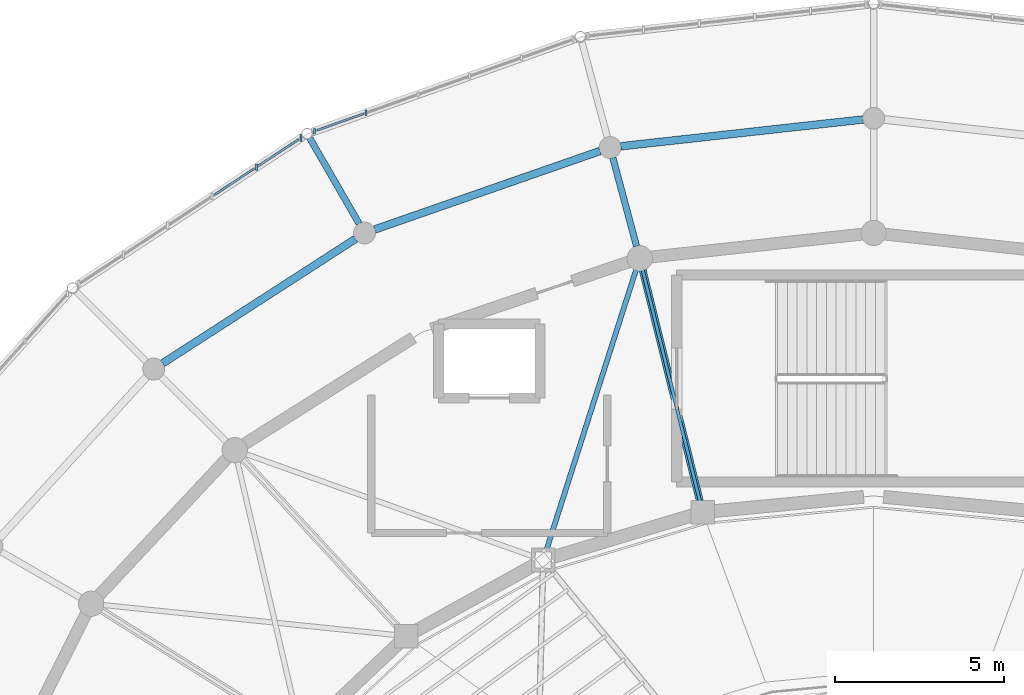
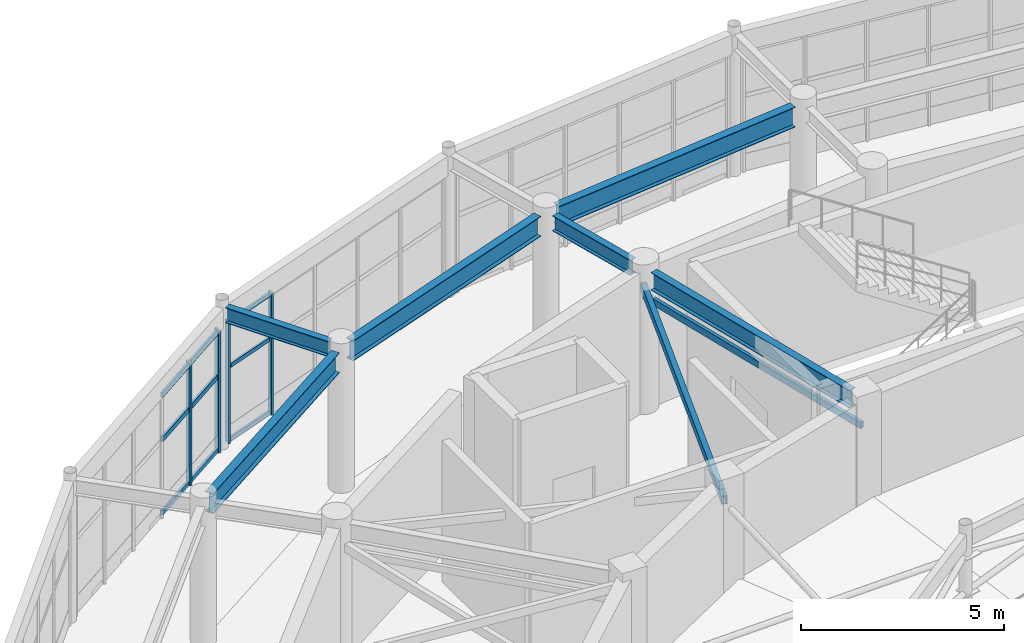
# One storey, part 46 of 112: 15 members, 6 beams, 2 elements without a shape of their own.
"""IFC4 building model written with IfcOpenShell, lengths in metres."""

import ifcopenshell
import ifcopenshell.guid

model = None  # the IFC model being written
_history = None  # IfcOwnerHistory: only IFC2X3 demands one
_inside = {}  # id of a spatial element -> (the spatial element, [elements in it])
_under = {}  # id of a project, library or spatial element -> (it, [spatial elements below it])
_declared = {}  # id of a project -> (the project, [libraries it declares])
_typed = {}  # id of a type object -> (the type object, [elements of that type])
_made_of = {}  # id of a material, layer set ... -> (it, [elements and type objects made of it])


def new_model(schema):
    """Start an empty IFC model of exactly this schema.

    Asked for "IFC4X3", IfcOpenShell would pick the latest addendum, in which some entities
    have other attributes; the version numbers below select the first issue.
    IFC2X3 requires an IfcOwnerHistory on every rooted entity: one is made here for all.
    """
    global model, _history
    if schema == "IFC4X3":
        model = ifcopenshell.file(schema_version=(4, 3, 0, 0))
    else:
        model = ifcopenshell.file(schema=schema)
    _inside.clear()
    _under.clear()
    _declared.clear()
    _typed.clear()
    _made_of.clear()
    _history = None
    if model.schema == "IFC2X3":
        org = make("IfcOrganization", Name="unknown")
        user = make(
            "IfcPersonAndOrganization",
            ThePerson=make("IfcPerson", FamilyName="unknown"),
            TheOrganization=org,
        )
        app = make(
            "IfcApplication",
            ApplicationDeveloper=org,
            Version="unknown",
            ApplicationFullName="unknown",
            ApplicationIdentifier="unknown",
        )
        _history = make(
            "IfcOwnerHistory",
            OwningUser=user,
            OwningApplication=app,
            ChangeAction="ADDED",
            CreationDate=0,
        )
    return model


def make(cls, **values):
    """One entity of the class cls with the attributes given. An attribute that is None is left unset."""
    return model.create_entity(
        cls, **{name: value for name, value in values.items() if value is not None}
    )


def rooted(cls, **values):
    """An entity with a GlobalId (a new one), such as an element, a storey or a relation."""
    return make(cls, GlobalId=ifcopenshell.guid.new(), OwnerHistory=_history, **values)


def si_unit(unit_type, name, prefix=None):
    """IfcSIUnit, for example si_unit("LENGTHUNIT", "METRE", prefix="MILLI")."""
    return make("IfcSIUnit", UnitType=unit_type, Prefix=prefix, Name=name)


def assignment(units):
    """IfcUnitAssignment: the units of a project."""
    return None if units is None else make("IfcUnitAssignment", Units=units)


def point(xyz):
    """IfcCartesianPoint."""
    return None if xyz is None else make("IfcCartesianPoint", Coordinates=xyz)


def direction(xyz):
    """IfcDirection."""
    return None if xyz is None else make("IfcDirection", DirectionRatios=xyz)


def frame(location, z_axis=None, x_axis=None):
    """IfcAxis2Placement3D, a coordinate frame: its origin and axes. An axis left out is left unset."""
    return make(
        "IfcAxis2Placement3D",
        Location=point(location),
        Axis=direction(z_axis),
        RefDirection=direction(x_axis),
    )


def frame_2d(location, x_axis=None):
    """IfcAxis2Placement2D, a coordinate frame in the plane: its origin and x axis."""
    return make(
        "IfcAxis2Placement2D", Location=point(location), RefDirection=direction(x_axis)
    )


def origin():
    """The frame at (0, 0, 0) with its axes left unset."""
    return frame((0.0, 0.0, 0.0))


def origin_2d():
    """The frame at (0, 0) in the plane with its x axis left unset."""
    return frame_2d((0.0, 0.0))


def place(relative_to, where):
    """IfcLocalPlacement: puts the frame where relative to a parent placement (None: the world)."""
    return make(
        "IfcLocalPlacement", PlacementRelTo=relative_to, RelativePlacement=where
    )


def context(
    kind, dimensions, precision=None, world=None, true_north=None, identifier=None
):
    """IfcGeometricRepresentationContext, for example the 3D "Model" context."""
    return make(
        "IfcGeometricRepresentationContext",
        ContextIdentifier=identifier,
        ContextType=kind,
        CoordinateSpaceDimension=dimensions,
        Precision=precision,
        WorldCoordinateSystem=world,
        TrueNorth=true_north,
    )


def subcontext(parent, identifier, kind, view, scale=None):
    """IfcGeometricRepresentationSubContext, for example "Body" below "Model"."""
    return make(
        "IfcGeometricRepresentationSubContext",
        ContextIdentifier=identifier,
        ContextType=kind,
        ParentContext=parent,
        TargetScale=scale,
        TargetView=view,
    )


def project(units=None, contexts=None):
    """IfcProject with its units and contexts."""
    return rooted(
        "IfcProject",
        Name="project",
        RepresentationContexts=contexts,
        UnitsInContext=assignment(units),
    )


def spatial(cls, under=None, at=None, **own):
    """A site, building, storey or space (cls), placed at a placement, below another one or the project."""
    s = rooted(cls, ObjectPlacement=at, **own)
    if under is not None:
        _under.setdefault(under.id(), (under, []))[1].append(s)
    return s


def profile(cls, at=None, kind="AREA", **sizes):
    """A parametric profile (cls). Its sizes go by their IFC names, for example OverallWidth=200.0."""
    return make(cls, ProfileType=kind, Position=at, **sizes)


def rectangle(**sizes):
    """IfcRectangleProfileDef."""
    return profile("IfcRectangleProfileDef", **sizes)


def hollow_rectangle(**sizes):
    """IfcRectangleHollowProfileDef."""
    return profile("IfcRectangleHollowProfileDef", **sizes)


def i_section(**sizes):
    """IfcIShapeProfileDef."""
    return profile("IfcIShapeProfileDef", **sizes)


def extrude(swept, where, along, depth):
    """IfcExtrudedAreaSolid: the profile swept, set in the frame where, extruded along a direction by depth."""
    return make(
        "IfcExtrudedAreaSolid",
        SweptArea=swept,
        Position=where,
        ExtrudedDirection=direction(along),
        Depth=depth,
    )


def shape(context_of_items, identifier, shape_type, items):
    """IfcShapeRepresentation: the items that make up one representation, for example the "Body"."""
    return make(
        "IfcShapeRepresentation",
        ContextOfItems=context_of_items,
        RepresentationIdentifier=identifier,
        RepresentationType=shape_type,
        Items=items,
    )


def material(Name=None, Category=None):
    """IfcMaterial."""
    return make("IfcMaterial", Name=Name, Category=Category)


def material_profile(
    of_material, cross_section, Name=None, Category=None, Priority=None
):
    """IfcMaterialProfile: a cross section and its material."""
    return make(
        "IfcMaterialProfile",
        Name=Name,
        Material=of_material,
        Profile=cross_section,
        Priority=Priority,
        Category=Category,
    )


def profile_set(profiles, Name=None, composite=None):
    """IfcMaterialProfileSet."""
    return make(
        "IfcMaterialProfileSet",
        Name=Name,
        MaterialProfiles=profiles,
        CompositeProfile=composite,
    )


def made_of(thing, what):
    """Note that an element or type object is made of a material, layer set ...; save() writes the relation."""
    if what is not None:
        _made_of.setdefault(what.id(), (what, []))[1].append(thing)
    return thing


def type_object(cls, material=None, **own):
    """A type object (cls), such as IfcWallType, which elements share."""
    return made_of(rooted(cls, **own), material)


def element(
    cls,
    number,
    at=None,
    inside=None,
    cuts=None,
    type_object=None,
    material=None,
    context=None,
    identifier="Body",
    shape_type=None,
    held_by="IfcProductDefinitionShape",
    body=None,
    shapes=None,
    **own,
):
    """One element of the class cls, such as IfcWall. Its Tag is "e" and its number.

    at: its placement. inside: the storey or other place that contains it. cuts: it is an
    opening in that element (IfcRelVoidsElement). A single representation is given by context,
    identifier, shape_type and body (its items); several are given by shapes. held_by: the class
    of the entity that holds the representations. save() writes the other relations.
    """
    e = rooted(cls, Tag="e%d" % number, ObjectPlacement=at, **own)
    if body is not None:
        shapes = [shape(context, identifier, shape_type, body)]
    if shapes is not None:
        e.Representation = make(held_by, Representations=shapes)
    if inside is not None:
        _inside.setdefault(inside.id(), (inside, []))[1].append(e)
    if cuts is not None:
        rooted(
            "IfcRelVoidsElement", RelatingBuildingElement=cuts, RelatedOpeningElement=e
        )
    if type_object is not None:
        _typed.setdefault(type_object.id(), (type_object, []))[1].append(e)
    return made_of(e, material)


def aggregate(whole, parts):
    """IfcRelAggregates: a whole, such as a stair, and the parts it consists of."""
    return rooted("IfcRelAggregates", RelatingObject=whole, RelatedObjects=parts)


def save(model, path):
    """Write the relations noted so far, then the file.

    IfcRelAggregates (storeys below a building ...), IfcRelContainedInSpatialStructure (elements
    in a storey), IfcRelDefinesByType, IfcRelAssociatesMaterial and IfcRelDeclares: one each for
    every whole, place, type object, material and project.
    """
    for whole, parts in _under.values():
        aggregate(whole, parts)
    for where, things in _inside.values():
        rooted(
            "IfcRelContainedInSpatialStructure",
            RelatedElements=things,
            RelatingStructure=where,
        )
    for kind, things in _typed.values():
        rooted("IfcRelDefinesByType", RelatedObjects=things, RelatingType=kind)
    for what, things in _made_of.values():
        rooted("IfcRelAssociatesMaterial", RelatedObjects=things, RelatingMaterial=what)
    for by, libraries in _declared.values():
        rooted("IfcRelDeclares", RelatingContext=by, RelatedDefinitions=libraries)
    model.write(path)


model = new_model("IFC4")

# Units and contexts
model_context = context("Model", 3, precision=1e-05, world=origin(), true_north=direction((0.0, 1.0)))
body_context = subcontext(model_context, "Body", "Model", "MODEL_VIEW")
ifc_project = project(units=[si_unit("LENGTHUNIT", "METRE"), si_unit("AREAUNIT", "SQUARE_METRE"), si_unit("VOLUMEUNIT", "CUBIC_METRE"), si_unit("PLANEANGLEUNIT", "RADIAN"), si_unit("MASSUNIT", "GRAM", prefix="KILO")], contexts=[model_context])

# Site, building, storey
site_placement = place(None, origin())
site = spatial("IfcSite", under=ifc_project, at=site_placement, CompositionType="ELEMENT")
building_placement = place(site_placement, origin())
building = spatial("IfcBuilding", under=site, at=building_placement, Name="Cinderbank Siding Concert Hall", CompositionType="ELEMENT")
storey_placement = place(building_placement, frame((0.0, 0.0, 10.199951171875)))
storey = spatial("IfcBuildingStorey", under=building, at=storey_placement, Name="L03", CompositionType="ELEMENT", Elevation=10.199951171875)

# Beams
ifc_material_1 = material(Name="Structural steel AS/NZS 3679.1 Grade 350 (340 MPa)", Category="steel")
ifc_material_profile_1 = material_profile(ifc_material_1, i_section(OverallWidth=0.19091796875, OverallDepth=0.46044921875, WebThickness=0.010009765625, FlangeThickness=0.01611328125, at=origin_2d()), Name="460UB82.1", Category="LoadBearing")
ifc_profile_set_1 = profile_set([ifc_material_profile_1], Name="Structural steel AS/NZS 3679.1 Grade 350 (340 MPa)")
beam_type_1 = type_object("IfcBeamType", Name="BM-UB460H 460UB82.1", PredefinedType="BEAM", material=ifc_profile_set_1)
beam_1_placement = place(storey_placement, frame((114.968505859375, 65.60498046875, 4.011962890625), z_axis=(-0.258809477387, 0.9659283899, 0.0), x_axis=(-0.9659283899, -0.258809477387, 0.0)))
element("IfcBeam", 1, at=beam_1_placement, inside=storey, type_object=beam_type_1, Name="L03 Beam BM-UB460H #612", PredefinedType="BEAM", context=body_context, shape_type="SweptSolid", body=[
    extrude(i_section(OverallWidth=0.19091796875, OverallDepth=0.46044921875, WebThickness=0.010009765625, FlangeThickness=0.01611328125, at=origin_2d()), origin(), (0.0, 0.0, 1.0), 2.7158203125),
])
beam_2_placement = place(storey_placement, frame((106.741455078125, 66.271484375, 4.0517578125), z_axis=(-0.499958157915, 0.866049559976, 0.0), x_axis=(-0.866049559976, -0.499958157915, 0.0)))
element("IfcBeam", 2, at=beam_2_placement, inside=storey, type_object=beam_type_1, Name="L03 Beam BM-UB460H #636", PredefinedType="BEAM", context=body_context, shape_type="SweptSolid", body=[
    extrude(i_section(OverallWidth=0.19091796875, OverallDepth=0.46044921875, WebThickness=0.010009765625, FlangeThickness=0.01611328125, at=origin_2d()), origin(), (0.0, 0.0, 1.0), 2.928955078125),
])
ifc_material_profile_2 = material_profile(ifc_material_1, i_section(OverallWidth=0.208984375, OverallDepth=0.532958984375, WebThickness=0.01025390625, FlangeThickness=0.015625, at=origin_2d()), Name="530UB92.4", Category="LoadBearing")
ifc_profile_set_2 = profile_set([ifc_material_profile_2], Name="Structural steel AS/NZS 3679.1 Grade 350 (340 MPa)")
beam_type_2 = type_object("IfcBeamType", Name="BM-UB530H 530UB92.4", PredefinedType="BEAM", material=ifc_profile_set_2)
beam_3_placement = place(storey_placement, frame((116.844970703125, 58.048095703125, 3.985595703125), z_axis=(-0.240115631411, 0.970744293598, 0.0), x_axis=(-0.970744293598, -0.240115631411, 0.0)))
element("IfcBeam", 3, at=beam_3_placement, inside=storey, type_object=beam_type_2, Name="L03 Beam BM-UB530H #594", PredefinedType="BEAM", context=body_context, shape_type="SweptSolid", body=[
    extrude(i_section(OverallWidth=0.208984375, OverallDepth=0.532958984375, WebThickness=0.01025390625, FlangeThickness=0.015625, at=origin_2d()), origin(), (0.0, 0.0, 1.0), 7.05224609375),
])
ifc_material_profile_3 = material_profile(ifc_material_1, i_section(OverallWidth=0.22802734375, OverallDepth=0.60693359375, WebThickness=0.01123046875, FlangeThickness=0.017333984375, at=origin_2d()), Name="610UB113", Category="LoadBearing")
ifc_profile_set_3 = profile_set([ifc_material_profile_3], Name="Structural steel AS/NZS 3679.1 Grade 350 (340 MPa)")
beam_type_3 = type_object("IfcBeamType", Name="BM-UB610M 610UB113", PredefinedType="BEAM", material=ifc_profile_set_3)
beam_4_placement = place(storey_placement, frame((121.684814453125, 69.364990234375, 3.9384765625), z_axis=(-0.993926077211, -0.110049775281, 0.0), x_axis=(0.110049775281, -0.993926077211, 0.0)))
element("IfcBeam", 4, at=beam_4_placement, inside=storey, type_object=beam_type_3, Name="L03 Beam BM-UB610M #551", PredefinedType="BEAM", context=body_context, shape_type="SweptSolid", body=[
    extrude(i_section(OverallWidth=0.22802734375, OverallDepth=0.60693359375, WebThickness=0.01123046875, FlangeThickness=0.017333984375, at=origin_2d()), origin(), (0.0, 0.0, 1.0), 7.22998046875),
])
beam_5_placement = place(storey_placement, frame((113.88427734375, 68.43017578125, 3.9384765625), z_axis=(-0.944334299593, -0.328987432301, 0.0), x_axis=(0.328987432301, -0.944334299593, 0.0)))
element("IfcBeam", 5, at=beam_5_placement, inside=storey, type_object=beam_type_3, Name="L03 Beam BM-UB610M #552", PredefinedType="BEAM", context=body_context, shape_type="SweptSolid", body=[
    extrude(i_section(OverallWidth=0.22802734375, OverallDepth=0.60693359375, WebThickness=0.01123046875, FlangeThickness=0.017333984375, at=origin_2d()), origin(), (0.0, 0.0, 1.0), 7.078857421875),
])
beam_6_placement = place(storey_placement, frame((106.6337890625, 65.8251953125, 3.9384765625), z_axis=(-0.840219727246, -0.542246078775, 0.0), x_axis=(0.542246078775, -0.840219727246, 0.0)))
element("IfcBeam", 6, at=beam_6_placement, inside=storey, type_object=beam_type_3, Name="L03 Beam BM-UB610M #553", PredefinedType="BEAM", context=body_context, shape_type="SweptSolid", body=[
    extrude(i_section(OverallWidth=0.22802734375, OverallDepth=0.60693359375, WebThickness=0.01123046875, FlangeThickness=0.017333984375, at=origin_2d()), origin(), (0.0, 0.0, 1.0), 6.810302734375),
])

# Curtain wall, members
ifc_material_2 = material(Name="Anodised aluminium alloy 6063-T6", Category="aluminium")
curtain_wall_type_1 = type_object("IfcCurtainWallType", Name="CW-08 Unitised Acoustic Curtain Wall 6400x3800", PredefinedType="NOTDEFINED", material=ifc_material_2)
curtain_wall_1_placement = place(storey_placement, origin())
curtain_wall_1 = element("IfcCurtainWall", 7, at=curtain_wall_1_placement, inside=storey, type_object=curtain_wall_type_1, Name="L03 Curtain Wall CW-08 #32", PredefinedType="NOTDEFINED")
ifc_material_profile_4 = material_profile(ifc_material_2, rectangle(XDim=0.06005859375, YDim=0.159912109375, at=origin_2d()), Name="ALU-MULL-60x160", Category="LoadBearing")
ifc_profile_set_4 = profile_set([ifc_material_profile_4], Name="Anodised aluminium alloy 6063-T6")
member_type_1 = type_object("IfcMemberType", Name="CW-ML1 Mullion 60x160", PredefinedType="MULLION", material=ifc_profile_set_4)
member_1_placement = place(storey_placement, frame((106.94921875, 69.5625, 0.0), z_axis=(0.0, 0.0, 1.0), x_axis=(1.0, 0.0, 0.0)))
member_1 = element("IfcMember", 8, at=member_1_placement, type_object=member_type_1, Name="CW-L03-032 Mullion 4", PredefinedType="MULLION", context=body_context, shape_type="SweptSolid", body=[
    extrude(rectangle(XDim=0.06005859375, YDim=0.159912109375, at=origin_2d()), origin(), (0.0, 0.0, 1.0), 3.6669921875),
])
member_2_placement = place(storey_placement, frame((105.413818359375, 69.017333984375, 0.0), z_axis=(0.0, 0.0, 1.0), x_axis=(1.0, 0.0, 0.0)))
member_2 = element("IfcMember", 9, at=member_2_placement, type_object=member_type_1, Name="CW-L03-032 Mullion 5", PredefinedType="MULLION", context=body_context, shape_type="SweptSolid", body=[
    extrude(rectangle(XDim=0.06005859375, YDim=0.159912109375, at=origin_2d()), origin(), (0.0, 0.0, 1.0), 3.6669921875),
])

curtain_wall_type_2 = type_object("IfcCurtainWallType", Name="CW-09 Unitised Acoustic Curtain Wall 8000x3500", PredefinedType="NOTDEFINED", material=ifc_material_2)
curtain_wall_2_placement = place(storey_placement, origin())
curtain_wall_2 = element("IfcCurtainWall", 10, at=curtain_wall_2_placement, inside=storey, type_object=curtain_wall_type_2, Name="L03 Curtain Wall CW-09 #33", PredefinedType="NOTDEFINED")
ifc_material_profile_5 = material_profile(ifc_material_2, rectangle(XDim=0.06494140625, YDim=0.199951171875, at=origin_2d()), Name="ALU-MULL-65x200", Category="LoadBearing")
ifc_profile_set_5 = profile_set([ifc_material_profile_5], Name="Anodised aluminium alloy 6063-T6")
member_type_2 = type_object("IfcMemberType", Name="CW-ML2 Mullion 65x200", PredefinedType="MULLION", material=ifc_profile_set_5)
member_3_placement = place(storey_placement, frame((105.010498046875, 68.81689453125, 0.0), z_axis=(0.0, 0.0, 1.0), x_axis=(1.0, 0.0, 0.0)))
member_3 = element("IfcMember", 11, at=member_3_placement, type_object=member_type_2, Name="CW-L03-033 Mullion 0", PredefinedType="MULLION", context=body_context, shape_type="SweptSolid", body=[
    extrude(rectangle(XDim=0.06494140625, YDim=0.199951171875, at=origin_2d()), origin(), (0.0, 0.0, 1.0), 3.6669921875),
])
member_4_placement = place(storey_placement, frame((103.694580078125, 67.951416015625, 0.0), z_axis=(0.0, 0.0, 1.0), x_axis=(1.0, 0.0, 0.0)))
member_4 = element("IfcMember", 12, at=member_4_placement, type_object=member_type_2, Name="CW-L03-033 Mullion 1", PredefinedType="MULLION", context=body_context, shape_type="SweptSolid", body=[
    extrude(rectangle(XDim=0.06494140625, YDim=0.199951171875, at=origin_2d()), origin(), (0.0, 0.0, 1.0), 3.6669921875),
])

# Member
ifc_material_profile_6 = material_profile(ifc_material_2, rectangle(XDim=0.06005859375, YDim=0.1201171875, at=origin_2d()), Name="ALU-TRAN-60x120", Category="LoadBearing")
ifc_profile_set_6 = profile_set([ifc_material_profile_6], Name="Anodised aluminium alloy 6063-T6")
member_type_3 = type_object("IfcMemberType", Name="CW-TR1 Transom 60x120", PredefinedType="USERDEFINED", material=ifc_profile_set_6)
member_5_placement = place(storey_placement, frame((106.872314453125, 69.53515625, 0.06005859375), z_axis=(-0.942395579657, -0.334500480482, 0.0), x_axis=(0.334500480482, -0.942395579657, 0.0)))
member_5 = element("IfcMember", 13, at=member_5_placement, type_object=member_type_3, Name="CW-L03-032 Transom 4-0", ObjectType="TRANSOM", PredefinedType="USERDEFINED", context=body_context, shape_type="SweptSolid", body=[
    extrude(rectangle(XDim=0.06005859375, YDim=0.1201171875, at=origin_2d()), origin(), (0.0, 0.0, 1.0), 1.46630859375),
])

member_6_placement = place(storey_placement, frame((106.872314453125, 69.53515625, 2.2734375), z_axis=(-0.942395579657, -0.334500480482, 0.0), x_axis=(0.334500480482, -0.942395579657, 0.0)))
member_6 = element("IfcMember", 14, at=member_6_placement, type_object=member_type_3, Name="CW-L03-032 Transom 4-1", ObjectType="TRANSOM", PredefinedType="USERDEFINED", context=body_context, shape_type="SweptSolid", body=[
    extrude(rectangle(XDim=0.06005859375, YDim=0.1201171875, at=origin_2d()), origin(), (0.0, 0.0, 1.0), 1.46630859375),
])

member_7_placement = place(storey_placement, frame((106.872314453125, 69.53515625, 3.60693359375), z_axis=(-0.942395579657, -0.334500480482, 0.0), x_axis=(0.334500480482, -0.942395579657, 0.0)))
member_7 = element("IfcMember", 15, at=member_7_placement, type_object=member_type_3, Name="CW-L03-032 Transom 4-2", ObjectType="TRANSOM", PredefinedType="USERDEFINED", context=body_context, shape_type="SweptSolid", body=[
    extrude(rectangle(XDim=0.06005859375, YDim=0.1201171875, at=origin_2d()), origin(), (0.0, 0.0, 1.0), 1.46630859375),
])

aggregate(curtain_wall_1, [member_1, member_2, member_5, member_6, member_7])

ifc_material_profile_7 = material_profile(ifc_material_2, rectangle(XDim=0.06494140625, YDim=0.14990234375, at=origin_2d()), Name="ALU-TRAN-65x150", Category="LoadBearing")
ifc_profile_set_7 = profile_set([ifc_material_profile_7], Name="Anodised aluminium alloy 6063-T6")
member_type_4 = type_object("IfcMemberType", Name="CW-TR2 Transom 65x150", PredefinedType="USERDEFINED", material=ifc_profile_set_7)
member_8_placement = place(storey_placement, frame((104.944580078125, 68.7734375, 0.06005859375), z_axis=(-0.835531529407, -0.549442502331, 0.0), x_axis=(0.549442502331, -0.835531529407, 0.0)))
member_8 = element("IfcMember", 16, at=member_8_placement, type_object=member_type_4, Name="CW-L03-033 Transom 0-0", ObjectType="TRANSOM", PredefinedType="USERDEFINED", context=body_context, shape_type="SweptSolid", body=[
    extrude(rectangle(XDim=0.06494140625, YDim=0.14990234375, at=origin_2d()), origin(), (0.0, 0.0, 1.0), 1.41748046875),
])

member_9_placement = place(storey_placement, frame((104.944580078125, 68.7734375, 2.2734375), z_axis=(-0.835531529407, -0.549442502331, 0.0), x_axis=(0.549442502331, -0.835531529407, 0.0)))
member_9 = element("IfcMember", 17, at=member_9_placement, type_object=member_type_4, Name="CW-L03-033 Transom 0-1", ObjectType="TRANSOM", PredefinedType="USERDEFINED", context=body_context, shape_type="SweptSolid", body=[
    extrude(rectangle(XDim=0.06494140625, YDim=0.14990234375, at=origin_2d()), origin(), (0.0, 0.0, 1.0), 1.41748046875),
])

member_10_placement = place(storey_placement, frame((104.944580078125, 68.7734375, 3.60693359375), z_axis=(-0.835531529407, -0.549442502331, 0.0), x_axis=(0.549442502331, -0.835531529407, 0.0)))
member_10 = element("IfcMember", 18, at=member_10_placement, type_object=member_type_4, Name="CW-L03-033 Transom 0-2", ObjectType="TRANSOM", PredefinedType="USERDEFINED", context=body_context, shape_type="SweptSolid", body=[
    extrude(rectangle(XDim=0.06494140625, YDim=0.14990234375, at=origin_2d()), origin(), (0.0, 0.0, 1.0), 1.41748046875),
])

member_11_placement = place(storey_placement, frame((103.628662109375, 67.907958984375, 0.06005859375), z_axis=(-0.835531529407, -0.549442502331, 0.0), x_axis=(0.549442502331, -0.835531529407, 0.0)))
member_11 = element("IfcMember", 19, at=member_11_placement, type_object=member_type_4, Name="CW-L03-033 Transom 1-0", ObjectType="TRANSOM", PredefinedType="USERDEFINED", context=body_context, shape_type="SweptSolid", body=[
    extrude(rectangle(XDim=0.06494140625, YDim=0.14990234375, at=origin_2d()), origin(), (0.0, 0.0, 1.0), 1.41748046875),
])

member_12_placement = place(storey_placement, frame((103.628662109375, 67.907958984375, 2.2734375), z_axis=(-0.835531529407, -0.549442502331, 0.0), x_axis=(0.549442502331, -0.835531529407, 0.0)))
member_12 = element("IfcMember", 20, at=member_12_placement, type_object=member_type_4, Name="CW-L03-033 Transom 1-1", ObjectType="TRANSOM", PredefinedType="USERDEFINED", context=body_context, shape_type="SweptSolid", body=[
    extrude(rectangle(XDim=0.06494140625, YDim=0.14990234375, at=origin_2d()), origin(), (0.0, 0.0, 1.0), 1.41748046875),
])

member_13_placement = place(storey_placement, frame((103.628662109375, 67.907958984375, 3.60693359375), z_axis=(-0.835531529407, -0.549442502331, 0.0), x_axis=(0.549442502331, -0.835531529407, 0.0)))
member_13 = element("IfcMember", 21, at=member_13_placement, type_object=member_type_4, Name="CW-L03-033 Transom 1-2", ObjectType="TRANSOM", PredefinedType="USERDEFINED", context=body_context, shape_type="SweptSolid", body=[
    extrude(rectangle(XDim=0.06494140625, YDim=0.14990234375, at=origin_2d()), origin(), (0.0, 0.0, 1.0), 1.41748046875),
])

aggregate(curtain_wall_2, [member_3, member_4, member_8, member_9, member_10, member_11, member_12, member_13])

# Members
ifc_material_3 = material(Name="Structural steel hollow section AS/NZS 1163 Grade C350L0 (350 MPa)", Category="steel")
ifc_material_profile_8 = material_profile(ifc_material_3, hollow_rectangle(XDim=0.10009765625, YDim=0.199951171875, WallThickness=0.008056640625, at=origin_2d()), Name="200x100x8.0RHS", Category="LoadBearing")
ifc_profile_set_8 = profile_set([ifc_material_profile_8], Name="Structural steel hollow section AS/NZS 1163 Grade C350L0 (350 MPa)")
member_type_5 = type_object("IfcMemberType", Name="PR-RHS200 200x100x8.0RHS Roof Truss", PredefinedType="PURLIN", material=ifc_profile_set_8)
member_14_placement = place(storey_placement, frame((116.927001953125, 57.716064453125, 3.340087890625), z_axis=(-0.240070192761, 0.970755531814, 0.0), x_axis=(-0.970755531814, -0.240070192761, 0.0)))
element("IfcMember", 22, at=member_14_placement, inside=storey, type_object=member_type_5, Name="L03 Roof Truss Member PR-RHS200 #2244", PredefinedType="PURLIN", context=body_context, shape_type="SweptSolid", body=[
    extrude(hollow_rectangle(XDim=0.10009765625, YDim=0.199951171875, WallThickness=0.008056640625, at=origin_2d()), origin(), (0.0, 0.0, 1.0), 7.761474609375),
])
ifc_material_profile_9 = material_profile(ifc_material_3, hollow_rectangle(XDim=0.14990234375, YDim=0.25, WallThickness=0.009033203125, at=origin_2d()), Name="250x150x9.0RHS", Category="LoadBearing")
ifc_profile_set_9 = profile_set([ifc_material_profile_9], Name="Structural steel hollow section AS/NZS 1163 Grade C350L0 (350 MPa)")
member_type_6 = type_object("IfcMemberType", Name="TR-RHS250 250x150x9.0RHS Roof Truss", PredefinedType="RAFTER", material=ifc_profile_set_9)
member_15_placement = place(storey_placement, frame((112.199951171875, 56.297607421875, 3.60009765625), z_axis=(0.304664519425, 0.952459726499, 0.0), x_axis=(-0.952459726499, 0.304664519425, 0.0)))
element("IfcMember", 23, at=member_15_placement, inside=storey, type_object=member_type_6, Name="L03 Roof Truss Member TR-RHS250 #2243", PredefinedType="RAFTER", context=body_context, shape_type="SweptSolid", body=[
    extrude(hollow_rectangle(XDim=0.14990234375, YDim=0.25, WallThickness=0.009033203125, at=origin_2d()), origin(), (0.0, 0.0, 1.0), 9.399658203125),
])

save(model, "model.ifc")
